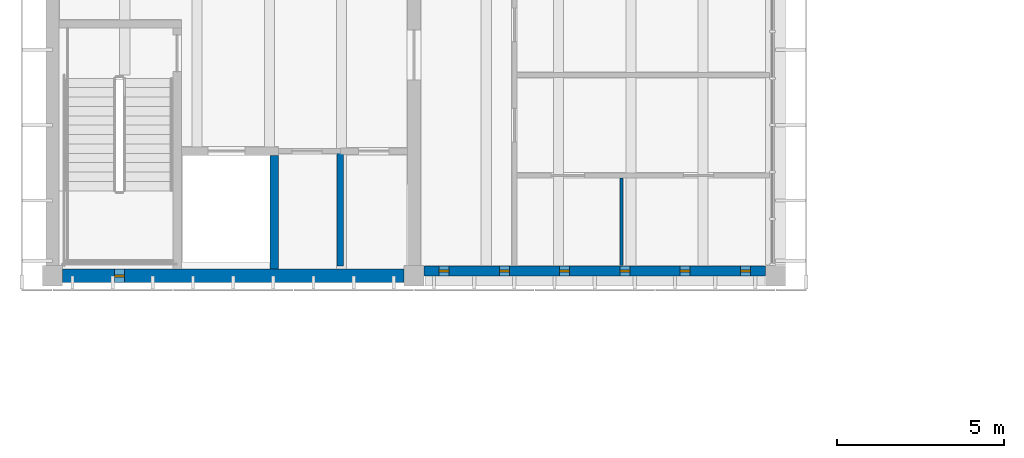
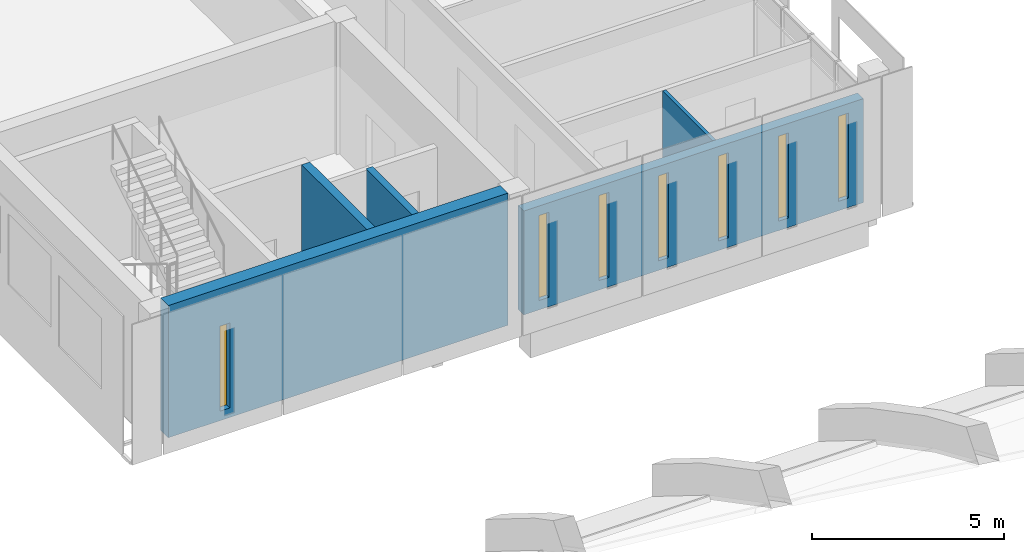
# One storey, part 50 of 88: 7 windows, 5 walls, 7 openings.
"""IFC4 building model written with IfcOpenShell, lengths in metres."""

from ifc_helpers import new_model, si_unit, direction, frame, frame_2d, origin, place, context, subcontext, project, spatial, rectangle, extrude, material, layer, layer_set, type_object, element, fill, save


model = new_model("IFC4")

# Units and contexts
model_context = context("Model", 3, precision=1e-05, world=origin(), true_north=direction((0.0, 1.0)))
body_context = subcontext(model_context, "Body", "Model", "MODEL_VIEW")
ifc_project = project(units=[si_unit("LENGTHUNIT", "METRE"), si_unit("AREAUNIT", "SQUARE_METRE"), si_unit("VOLUMEUNIT", "CUBIC_METRE"), si_unit("PLANEANGLEUNIT", "RADIAN"), si_unit("MASSUNIT", "GRAM", prefix="KILO")], contexts=[model_context])

# Site, building, storey
site_placement = place(None, origin())
site = spatial("IfcSite", under=ifc_project, at=site_placement, CompositionType="ELEMENT")
building_placement = place(site_placement, origin())
building = spatial("IfcBuilding", under=site, at=building_placement, Name="Merrow Basin Faculty of Sciences", CompositionType="ELEMENT")
storey_placement = place(building_placement, frame((0.0, 0.0, 9.0)))
storey = spatial("IfcBuildingStorey", under=building, at=storey_placement, Name="L02", CompositionType="ELEMENT", Elevation=9.0)

# Wall, openings, windows
ifc_material_1 = material(Name="Precast concrete C40/50", Category="concrete")
ifc_layer_1 = layer(ifc_material_1, 0.300048828125)
ifc_layer_set_1 = layer_set([ifc_layer_1], Name="End wall 300 Precast concrete C40/50")
wall_type_1 = type_object("IfcWallType", Name="End wall 300 Precast concrete C40/50", PredefinedType="STANDARD", material=ifc_layer_set_1)
wall_1_placement = place(storey_placement, frame((21.300048828125, 61.14990234375, 0.0), z_axis=(0.0, 0.0, 1.0), x_axis=(-1.0, 0.0, 0.0)))
wall_1 = element("IfcWall", 1, at=wall_1_placement, inside=storey, type_object=wall_type_1, Name="South end wall 1", PredefinedType="STANDARD", context=body_context, shape_type="SweptSolid", body=[
    extrude(rectangle(XDim=10.199951171875, YDim=0.300048828125, at=frame_2d((5.10009765625, 0.0))), origin(), (0.0, 0.0, 1.0), 3.300048828125),
])
opening_1_placement = place(wall_1_placement, frame((9.449951171875, 0.0, 0.300048828125)))
opening_1 = element("IfcOpeningElement", 2, at=opening_1_placement, cuts=wall_1, Name="Opening WN1", PredefinedType="OPENING", context=body_context, shape_type="SweptSolid", body=[
    extrude(rectangle(XDim=0.300048828125, YDim=2.699951171875, at=frame_2d((0.14990234375, 1.35009765625))), frame((0.0, 0.159912109375, 0.0), z_axis=(0.0, -1.0, 0.0), x_axis=(1.0, 0.0, 0.0)), (0.0, 0.0, 1.0), 0.320068359375),
])
opening_2_placement = place(wall_1_placement, frame((7.64990234375, 0.0, 0.300048828125)))
opening_2 = element("IfcOpeningElement", 3, at=opening_2_placement, cuts=wall_1, Name="Opening WN1", PredefinedType="OPENING", context=body_context, shape_type="SweptSolid", body=[
    extrude(rectangle(XDim=0.300048828125, YDim=2.699951171875, at=frame_2d((0.14990234375, 1.35009765625))), frame((0.0, 0.159912109375, 0.0), z_axis=(0.0, -1.0, 0.0), x_axis=(1.0, 0.0, 0.0)), (0.0, 0.0, 1.0), 0.320068359375),
])
opening_3_placement = place(wall_1_placement, frame((5.85009765625, 0.0, 0.300048828125)))
opening_3 = element("IfcOpeningElement", 4, at=opening_3_placement, cuts=wall_1, Name="Opening WN1", PredefinedType="OPENING", context=body_context, shape_type="SweptSolid", body=[
    extrude(rectangle(XDim=0.300048828125, YDim=2.699951171875, at=frame_2d((0.14990234375, 1.35009765625))), frame((0.0, 0.159912109375, 0.0), z_axis=(0.0, -1.0, 0.0), x_axis=(1.0, 0.0, 0.0)), (0.0, 0.0, 1.0), 0.320068359375),
])
opening_4_placement = place(wall_1_placement, frame((4.050048828125, 0.0, 0.300048828125)))
opening_4 = element("IfcOpeningElement", 5, at=opening_4_placement, cuts=wall_1, Name="Opening WN1", PredefinedType="OPENING", context=body_context, shape_type="SweptSolid", body=[
    extrude(rectangle(XDim=0.300048828125, YDim=2.699951171875, at=frame_2d((0.14990234375, 1.35009765625))), frame((0.0, 0.159912109375, 0.0), z_axis=(0.0, -1.0, 0.0), x_axis=(1.0, 0.0, 0.0)), (0.0, 0.0, 1.0), 0.320068359375),
])
opening_5_placement = place(wall_1_placement, frame((2.25, 0.0, 0.300048828125)))
opening_5 = element("IfcOpeningElement", 6, at=opening_5_placement, cuts=wall_1, Name="Opening WN1", PredefinedType="OPENING", context=body_context, shape_type="SweptSolid", body=[
    extrude(rectangle(XDim=0.300048828125, YDim=2.699951171875, at=frame_2d((0.14990234375, 1.35009765625))), frame((0.0, 0.159912109375, 0.0), z_axis=(0.0, -1.0, 0.0), x_axis=(1.0, 0.0, 0.0)), (0.0, 0.0, 1.0), 0.320068359375),
])
opening_6_placement = place(wall_1_placement, frame((0.449951171875, 0.0, 0.300048828125)))
opening_6 = element("IfcOpeningElement", 7, at=opening_6_placement, cuts=wall_1, Name="Opening WN1", PredefinedType="OPENING", context=body_context, shape_type="SweptSolid", body=[
    extrude(rectangle(XDim=0.300048828125, YDim=2.699951171875, at=frame_2d((0.14990234375, 1.35009765625))), frame((0.0, 0.159912109375, 0.0), z_axis=(0.0, -1.0, 0.0), x_axis=(1.0, 0.0, 0.0)), (0.0, 0.0, 1.0), 0.320068359375),
])
ifc_material_2 = material(Name="Low-E double glazing", Category="glass")
window_type = type_object("IfcWindowType", Name="Slot window 300 x 2700", PartitioningType="SINGLE_PANEL", PredefinedType="WINDOW", material=ifc_material_2)
window_1_placement = place(opening_1_placement, origin())
window_1 = element("IfcWindow", 8, at=window_1_placement, inside=storey, type_object=window_type, Name="South slot window L02", OverallHeight=2.699951171875, OverallWidth=0.300048828125, PartitioningType="SINGLE_PANEL", PredefinedType="WINDOW", context=body_context, shape_type="SweptSolid", body=[
    extrude(rectangle(XDim=0.300048828125, YDim=2.699951171875, at=frame_2d((0.14990234375, 1.35009765625))), frame((0.0, 0.030029296875, 0.0), z_axis=(0.0, -1.0, 0.0), x_axis=(1.0, 0.0, 0.0)), (0.0, 0.0, 1.0), 0.06005859375),
])
fill(opening_1, window_1)
window_2_placement = place(opening_2_placement, origin())
window_2 = element("IfcWindow", 9, at=window_2_placement, inside=storey, type_object=window_type, Name="South slot window L02", OverallHeight=2.699951171875, OverallWidth=0.300048828125, PartitioningType="SINGLE_PANEL", PredefinedType="WINDOW", context=body_context, shape_type="SweptSolid", body=[
    extrude(rectangle(XDim=0.300048828125, YDim=2.699951171875, at=frame_2d((0.14990234375, 1.35009765625))), frame((0.0, 0.030029296875, 0.0), z_axis=(0.0, -1.0, 0.0), x_axis=(1.0, 0.0, 0.0)), (0.0, 0.0, 1.0), 0.06005859375),
])
fill(opening_2, window_2)
window_3_placement = place(opening_3_placement, origin())
window_3 = element("IfcWindow", 10, at=window_3_placement, inside=storey, type_object=window_type, Name="South slot window L02", OverallHeight=2.699951171875, OverallWidth=0.300048828125, PartitioningType="SINGLE_PANEL", PredefinedType="WINDOW", context=body_context, shape_type="SweptSolid", body=[
    extrude(rectangle(XDim=0.300048828125, YDim=2.699951171875, at=frame_2d((0.14990234375, 1.35009765625))), frame((0.0, 0.030029296875, 0.0), z_axis=(0.0, -1.0, 0.0), x_axis=(1.0, 0.0, 0.0)), (0.0, 0.0, 1.0), 0.06005859375),
])
fill(opening_3, window_3)
window_4_placement = place(opening_4_placement, origin())
window_4 = element("IfcWindow", 11, at=window_4_placement, inside=storey, type_object=window_type, Name="South slot window L02", OverallHeight=2.699951171875, OverallWidth=0.300048828125, PartitioningType="SINGLE_PANEL", PredefinedType="WINDOW", context=body_context, shape_type="SweptSolid", body=[
    extrude(rectangle(XDim=0.300048828125, YDim=2.699951171875, at=frame_2d((0.14990234375, 1.35009765625))), frame((0.0, 0.030029296875, 0.0), z_axis=(0.0, -1.0, 0.0), x_axis=(1.0, 0.0, 0.0)), (0.0, 0.0, 1.0), 0.06005859375),
])
fill(opening_4, window_4)
window_5_placement = place(opening_5_placement, origin())
window_5 = element("IfcWindow", 12, at=window_5_placement, inside=storey, type_object=window_type, Name="South slot window L02", OverallHeight=2.699951171875, OverallWidth=0.300048828125, PartitioningType="SINGLE_PANEL", PredefinedType="WINDOW", context=body_context, shape_type="SweptSolid", body=[
    extrude(rectangle(XDim=0.300048828125, YDim=2.699951171875, at=frame_2d((0.14990234375, 1.35009765625))), frame((0.0, 0.030029296875, 0.0), z_axis=(0.0, -1.0, 0.0), x_axis=(1.0, 0.0, 0.0)), (0.0, 0.0, 1.0), 0.06005859375),
])
fill(opening_5, window_5)
window_6_placement = place(opening_6_placement, origin())
window_6 = element("IfcWindow", 13, at=window_6_placement, inside=storey, type_object=window_type, Name="South slot window L02", OverallHeight=2.699951171875, OverallWidth=0.300048828125, PartitioningType="SINGLE_PANEL", PredefinedType="WINDOW", context=body_context, shape_type="SweptSolid", body=[
    extrude(rectangle(XDim=0.300048828125, YDim=2.699951171875, at=frame_2d((0.14990234375, 1.35009765625))), frame((0.0, 0.030029296875, 0.0), z_axis=(0.0, -1.0, 0.0), x_axis=(1.0, 0.0, 0.0)), (0.0, 0.0, 1.0), 0.06005859375),
])
fill(opening_6, window_6)

# Walls
ifc_material_3 = material(Name="Moisture-resistant gypsum board")
ifc_layer_2 = layer(ifc_material_3, 0.10009765625)
ifc_layer_set_2 = layer_set([ifc_layer_2], Name="Partition 100 moisture-resistant board on steel studs")
wall_type_2 = type_object("IfcWallType", Name="Partition 100 moisture-resistant board on steel studs", PredefinedType="PARTITIONING", material=ifc_layer_set_2)
wall_2_placement = place(storey_placement, frame((17.0, 61.300048828125, 0.0), z_axis=(0.0, 0.0, 1.0), x_axis=(0.0, 1.0, 0.0)))
element("IfcWall", 14, at=wall_2_placement, inside=storey, type_object=wall_type_2, Name="IW101 L02 027", PredefinedType="PARTITIONING", context=body_context, shape_type="SweptSolid", body=[
    extrude(rectangle(XDim=2.625, YDim=0.10009765625, at=frame_2d((1.3125, 0.0))), origin(), (0.0, 0.0, 1.0), 3.300048828125),
])
ifc_material_4 = material(Name="Fire-rated gypsum board")
ifc_layer_3 = layer(ifc_material_4, 0.199951171875)
ifc_layer_set_3 = layer_set([ifc_layer_3], Name="Riser lining 200 fire-rated board on steel studs")
wall_type_3 = type_object("IfcWallType", Name="Riser lining 200 fire-rated board on steel studs", PredefinedType="PARTITIONING", material=ifc_layer_set_3)
wall_3_placement = place(storey_placement, frame((8.60009765625, 61.300048828125, 0.0), z_axis=(0.0, 0.0, 1.0), x_axis=(0.0, 1.0, 0.0)))
element("IfcWall", 15, at=wall_3_placement, inside=storey, type_object=wall_type_3, Name="IW200 L02 001", PredefinedType="PARTITIONING", context=body_context, shape_type="SweptSolid", body=[
    extrude(rectangle(XDim=3.425048828125, YDim=0.199951171875, at=frame_2d((1.71240234375, 0.0))), origin(), (0.0, 0.0, 1.0), 3.300048828125),
])
ifc_material_5 = material(Name="Concrete C40/50", Category="concrete")
ifc_layer_4 = layer(ifc_material_5, 0.25)
ifc_layer_set_4 = layer_set([ifc_layer_4], Name="Shear wall 250 Concrete C40/50")
wall_type_4 = type_object("IfcWallType", Name="Shear wall 250 Concrete C40/50", PredefinedType="SHEAR", material=ifc_layer_set_4)
wall_4_placement = place(storey_placement, frame((6.625, 61.199951171875, 0.0), z_axis=(0.0, 0.0, 1.0), x_axis=(0.0, 1.0, 0.0)))
element("IfcWall", 16, at=wall_4_placement, inside=storey, type_object=wall_type_4, Name="SW2 L02 008", PredefinedType="SHEAR", context=body_context, shape_type="SweptSolid", body=[
    extrude(rectangle(XDim=3.400146484375, YDim=0.25, at=frame_2d((1.7001953125, 0.0))), origin(), (0.0, 0.0, 1.0), 4.199951171875),
])

# Wall, opening, window
ifc_material_6 = material(Name="Concrete C40/50", Category="concrete")
ifc_layer_5 = layer(ifc_material_6, 0.39990234375)
ifc_layer_set_5 = layer_set([ifc_layer_5], Name="Shear wall 400 Concrete C40/50")
wall_type_5 = type_object("IfcWallType", Name="Shear wall 400 Concrete C40/50", PredefinedType="SHEAR", material=ifc_layer_set_5)
wall_5_placement = place(storey_placement, frame((0.300048828125, 61.0, 0.0), z_axis=(0.0, 0.0, 1.0), x_axis=(1.0, 0.0, 0.0)))
wall_5 = element("IfcWall", 17, at=wall_5_placement, inside=storey, type_object=wall_type_5, Name="SW1 L02 001", PredefinedType="SHEAR", context=body_context, shape_type="SweptSolid", body=[
    extrude(rectangle(XDim=10.199951171875, YDim=0.39990234375, at=frame_2d((5.10009765625, 0.0))), origin(), (0.0, 0.0, 1.0), 4.199951171875),
])
opening_7_placement = place(wall_5_placement, frame((1.550048828125, 0.0, 0.300048828125)))
opening_7 = element("IfcOpeningElement", 18, at=opening_7_placement, cuts=wall_5, Name="Opening WN1", PredefinedType="OPENING", context=body_context, shape_type="SweptSolid", body=[
    extrude(rectangle(XDim=0.300048828125, YDim=2.699951171875, at=frame_2d((0.14990234375, 1.35009765625))), frame((0.0, 0.2099609375, 0.0), z_axis=(0.0, -1.0, 0.0), x_axis=(1.0, 0.0, 0.0)), (0.0, 0.0, 1.0), 0.419921875),
])
window_7_placement = place(opening_7_placement, origin())
window_7 = element("IfcWindow", 19, at=window_7_placement, inside=storey, type_object=window_type, Name="Stair slot window C-V4-S L02", OverallHeight=2.699951171875, OverallWidth=0.300048828125, PartitioningType="SINGLE_PANEL", PredefinedType="WINDOW", context=body_context, shape_type="SweptSolid", body=[
    extrude(rectangle(XDim=0.300048828125, YDim=2.699951171875, at=frame_2d((0.14990234375, 1.35009765625))), frame((0.0, 0.030029296875, 0.0), z_axis=(0.0, -1.0, 0.0), x_axis=(1.0, 0.0, 0.0)), (0.0, 0.0, 1.0), 0.06005859375),
])
fill(opening_7, window_7)

save(model, "model.ifc")
